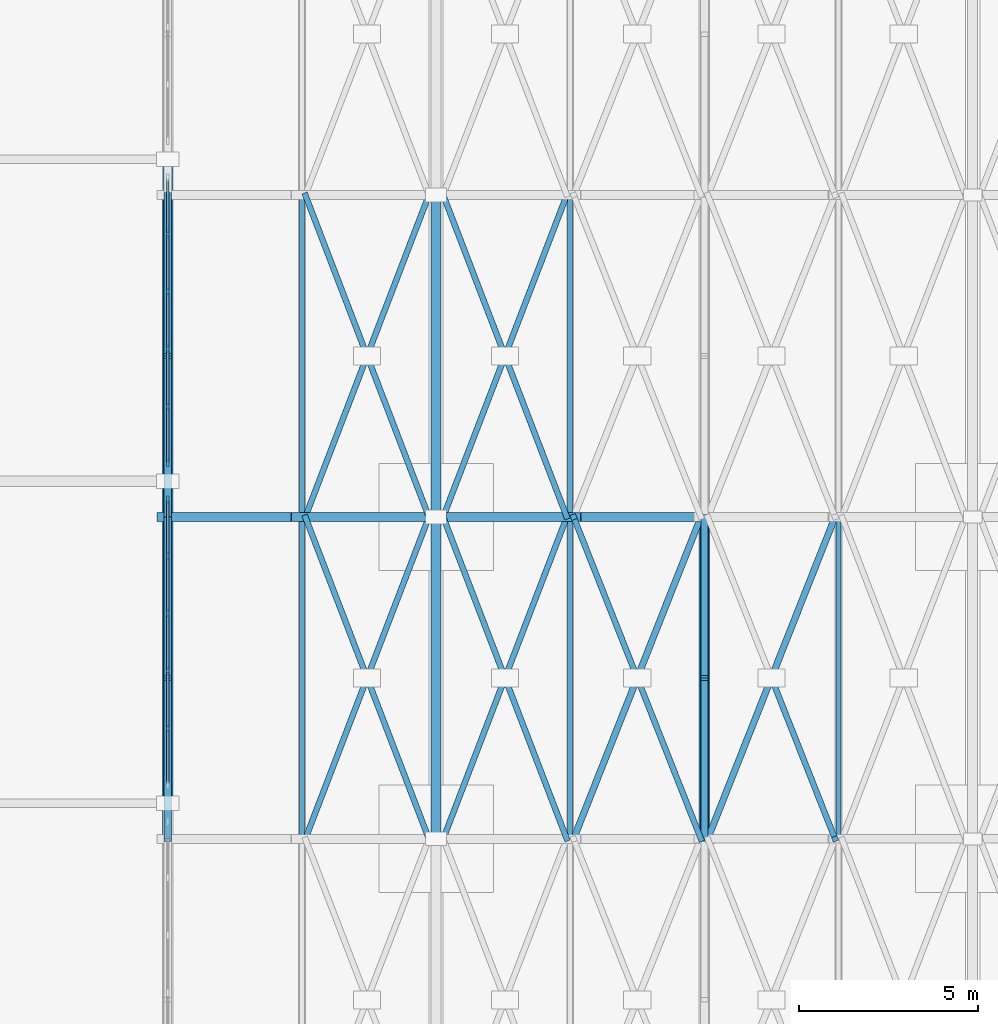
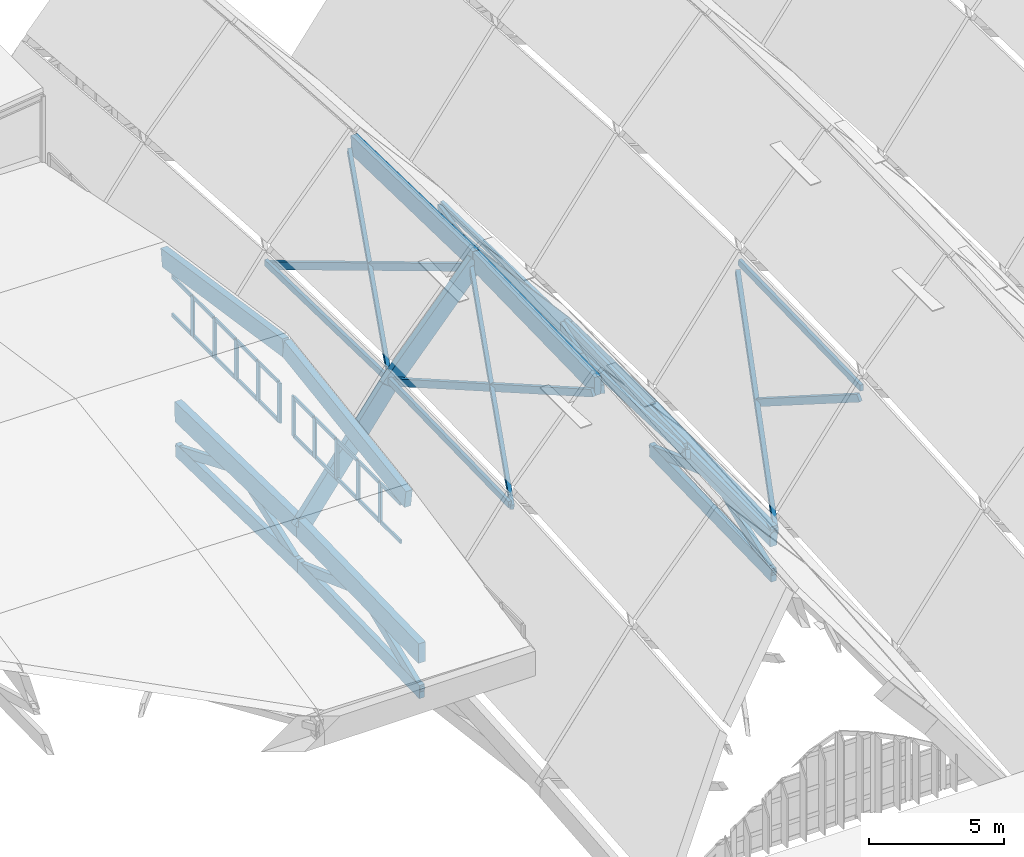
# One storey, part 28 of 93: 61 members, 11 beams, 2 elements without a shape of their own.
"""IFC4 building model written with IfcOpenShell, lengths in metres."""

from ifc_helpers import new_model, si_unit, direction, frame, origin, origin_2d, place, context, subcontext, project, spatial, rectangle, extrude, material, material_profile, profile_set, type_object, element, aggregate, save


model = new_model("IFC4")

# Units and contexts
model_context = context("Model", 3, precision=1e-05, world=origin(), true_north=direction((0.0, 1.0)))
body_context = subcontext(model_context, "Body", "Model", "MODEL_VIEW")
ifc_project = project(units=[si_unit("LENGTHUNIT", "METRE"), si_unit("AREAUNIT", "SQUARE_METRE"), si_unit("VOLUMEUNIT", "CUBIC_METRE"), si_unit("PLANEANGLEUNIT", "RADIAN"), si_unit("MASSUNIT", "GRAM", prefix="KILO")], contexts=[model_context])

# Site, building, storey
site_placement = place(None, origin())
site = spatial("IfcSite", under=ifc_project, at=site_placement, CompositionType="ELEMENT")
building_placement = place(site_placement, origin())
building = spatial("IfcBuilding", under=site, at=building_placement, Name="Vourika Railside Aquatics Centre", CompositionType="ELEMENT")
storey_placement = place(building_placement, frame((0.0, 0.0, 21.89990234375)))
storey = spatial("IfcBuildingStorey", under=building, at=storey_placement, Name="Roof", CompositionType="ELEMENT", Elevation=21.89990234375)

# Beams
ifc_material_1 = material(Name="Glulam GL32h", Category="wood")
ifc_material_profile_1 = material_profile(ifc_material_1, rectangle(XDim=0.260009765625, YDim=0.760009765625, at=origin_2d()), Name="GL32h 260x760")
ifc_profile_set_1 = profile_set([ifc_material_profile_1], Name="Glulam GL32h")
beam_type_1 = type_object("IfcBeamType", Name="BM-GL-ARCH-260x760", PredefinedType="BEAM", material=ifc_profile_set_1)
beam_1_placement = place(storey_placement, frame((36.0, 39.0, -10.099853515625), z_axis=(0.592401494544, 0.0, 0.805642891896), x_axis=(0.0, 1.0, 0.0)))
element("IfcBeam", 1, at=beam_1_placement, inside=storey, type_object=beam_type_1, Name="Pointed Glulam Vault Arch Rib GAR-0013", PredefinedType="BEAM", context=body_context, shape_type="SweptSolid", body=[
    extrude(rectangle(XDim=0.260009765625, YDim=0.760009765625, at=origin_2d()), origin(), (0.0, 0.0, 1.0), 6.330078125),
])
for number, where, z_axis, x_axis, name in (
    (2, (39.75, 39.0, -5.0), (0.657258623263, 0.0, 0.75366511273), (0.0, 1.0, 0.0), "Pointed Glulam Vault Arch Rib GAR-0014"),
    (3, (43.5, 39.0, -0.699951171875), (0.657258623263, 0.0, -0.75366511273), (0.0, 1.0, 0.0), "Pointed Glulam Vault Arch Rib GAR-0015"),
):
    element("IfcBeam", number, at=place(storey_placement, frame(where, z_axis=z_axis, x_axis=x_axis)), inside=storey, type_object=beam_type_1, Name=name, PredefinedType="BEAM", context=body_context, shape_type="SweptSolid", body=[
        extrude(rectangle(XDim=0.260009765625, YDim=0.760009765625, at=origin_2d()), origin(), (0.0, 0.0, 1.0), 5.70556640625),
    ])
beam_2_placement = place(storey_placement, frame((47.25, 39.0, -5.0), z_axis=(0.592401494544, 0.0, -0.805642891896), x_axis=(0.0, 1.0, 0.0)))
element("IfcBeam", 4, at=beam_2_placement, inside=storey, type_object=beam_type_1, Name="Pointed Glulam Vault Arch Rib GAR-0016", PredefinedType="BEAM", context=body_context, shape_type="SweptSolid", body=[
    extrude(rectangle(XDim=0.260009765625, YDim=0.760009765625, at=origin_2d()), origin(), (0.0, 0.0, 1.0), 6.330078125),
])
ifc_material_profile_2 = material_profile(ifc_material_1, rectangle(XDim=0.280029296875, YDim=0.800048828125, at=origin_2d()), Name="GL32h 280x800")
ifc_profile_set_2 = profile_set([ifc_material_profile_2], Name="Glulam GL32h")
beam_type_2 = type_object("IfcBeamType", Name="BM-GL-RIDGE-280x800", PredefinedType="BEAM", material=ifc_profile_set_2)
for number, where, z_axis, x_axis, name in (
    (5, (36.0, 31.0, -3.97998046875), (0.0, 0.988934778637, 0.148350947425), (-1.0, 0.0, 0.0), "Diving Roof Truss Arch Rib DAR-0256"),
    (6, (36.0, 40.0, -2.6298828125), (0.0, 0.988934778637, -0.148350947425), (-1.0, 0.0, 0.0), "Diving Roof Truss Arch Rib DAR-0257"),
):
    element("IfcBeam", number, at=place(storey_placement, frame(where, z_axis=z_axis, x_axis=x_axis)), inside=storey, type_object=beam_type_2, Name=name, PredefinedType="BEAM", context=body_context, shape_type="SweptSolid", body=[
        extrude(rectangle(XDim=0.280029296875, YDim=0.800048828125, at=origin_2d()), origin(), (0.0, 0.0, 1.0), 9.1005859375),
    ])
ifc_material_profile_3 = material_profile(ifc_material_1, rectangle(XDim=0.280029296875, YDim=0.840087890625, at=origin_2d()), Name="GL32h 280x840")
ifc_profile_set_3 = profile_set([ifc_material_profile_3], Name="Glulam GL32h")
beam_type_3 = type_object("IfcBeamType", Name="BM-GL-RIDGE-280x840", PredefinedType="BEAM", material=ifc_profile_set_3)
for number, where, z_axis, x_axis, name in (
    (7, (43.5, 30.0, -0.914306640625), (0.0, 0.999716489335, 0.023810521854), (-1.0, 0.0, 0.0), "Vault Pointed Ridge Beam GRB-0031"),
    (8, (43.5, 39.0, -0.699951171875), (0.0, 0.999716489335, -0.023810521854), (-1.0, 0.0, 0.0), "Vault Pointed Ridge Beam GRB-0032"),
):
    element("IfcBeam", number, at=place(storey_placement, frame(where, z_axis=z_axis, x_axis=x_axis)), inside=storey, type_object=beam_type_3, Name=name, PredefinedType="BEAM", context=body_context, shape_type="SweptSolid", body=[
        extrude(rectangle(XDim=0.280029296875, YDim=0.840087890625, at=origin_2d()), origin(), (0.0, 0.0, 1.0), 9.00244140625),
    ])
ifc_material_profile_4 = material_profile(ifc_material_1, rectangle(XDim=0.300048828125, YDim=0.89990234375, at=origin_2d()), Name="GL32h 300x900")
ifc_profile_set_4 = profile_set([ifc_material_profile_4], Name="Glulam GL32h")
beam_type_4 = type_object("IfcBeamType", Name="BM-GL-VAL-300x900", PredefinedType="BEAM", material=ifc_profile_set_4)
for number, where, z_axis, x_axis, name in (
    (9, (36.0, 30.0, -10.314208984375), (0.0, 0.999716489335, 0.023810521854), (-1.0, 0.0, 0.0), "Vault Valley Arch Rib VTR-003"),
    (10, (36.0, 39.0, -10.099853515625), (0.0, 0.999716489335, -0.023810521854), (-1.0, 0.0, 0.0), "Vault Valley Arch Rib VTR-004"),
    (11, (51.0, 30.0, -10.314208984375), (0.0, 0.999716489335, 0.023810521854), (-1.0, 0.0, 0.0), "Vault Valley Arch Rib VTR-009"),
):
    element("IfcBeam", number, at=place(storey_placement, frame(where, z_axis=z_axis, x_axis=x_axis)), inside=storey, type_object=beam_type_4, Name=name, PredefinedType="BEAM", context=body_context, shape_type="SweptSolid", body=[
        extrude(rectangle(XDim=0.300048828125, YDim=0.89990234375, at=origin_2d()), origin(), (0.0, 0.0, 1.0), 9.00244140625),
    ])

# Curtain wall, members
ifc_material_2 = material(Name="Anodized thermally broken aluminium", Category="aluminium")
curtain_wall_type = type_object("IfcCurtainWallType", Name="CW-DIVEE", PredefinedType="NOTDEFINED", material=ifc_material_2)
curtain_wall_1_placement = place(storey_placement, origin())
curtain_wall_1 = element("IfcCurtainWall", 12, at=curtain_wall_1_placement, inside=storey, type_object=curtain_wall_type, Name="Diving Hall East Clerestory Curtain Wall 2", PredefinedType="NOTDEFINED")
ifc_material_3 = material(Name="Anodized aluminium mullion", Category="aluminium")
ifc_material_profile_5 = material_profile(ifc_material_3, rectangle(XDim=0.075927734375, YDim=0.205078125, at=origin_2d()), Name="ALU-M 76x205")
ifc_profile_set_5 = profile_set([ifc_material_profile_5], Name="Anodized aluminium mullion")
member_type_1 = type_object("IfcMemberType", Name="CWM-DIVEE", PredefinedType="MULLION", material=ifc_profile_set_5)
member_1_placement = place(storey_placement, frame((36.0, 33.087890625, -6.2998046875), z_axis=(0.0, 0.0, 1.0), x_axis=(-1.0, 0.0, 0.0)))
member_1 = element("IfcMember", 13, at=member_1_placement, type_object=member_type_1, Name="CW06 mullion 2", PredefinedType="MULLION", context=body_context, shape_type="SweptSolid", body=[
    extrude(rectangle(XDim=0.075927734375, YDim=0.205078125, at=origin_2d()), origin(), (0.0, 0.0, 1.0), 1.7998046875),
])
member_2_placement = place(storey_placement, frame((36.0, 34.696044921875, -6.2998046875), z_axis=(0.0, 0.0, 1.0), x_axis=(-1.0, 0.0, 0.0)))
member_2 = element("IfcMember", 14, at=member_2_placement, type_object=member_type_1, Name="CW06 mullion 3", PredefinedType="MULLION", context=body_context, shape_type="SweptSolid", body=[
    extrude(rectangle(XDim=0.075927734375, YDim=0.205078125, at=origin_2d()), origin(), (0.0, 0.0, 1.0), 1.7998046875),
])
member_3_placement = place(storey_placement, frame((36.0, 36.303955078125, -6.2998046875), z_axis=(0.0, 0.0, 1.0), x_axis=(-1.0, 0.0, 0.0)))
member_3 = element("IfcMember", 15, at=member_3_placement, type_object=member_type_1, Name="CW06 mullion 4", PredefinedType="MULLION", context=body_context, shape_type="SweptSolid", body=[
    extrude(rectangle(XDim=0.075927734375, YDim=0.205078125, at=origin_2d()), origin(), (0.0, 0.0, 1.0), 1.7998046875),
])
member_4_placement = place(storey_placement, frame((36.0, 37.912109375, -6.2998046875), z_axis=(0.0, 0.0, 1.0), x_axis=(-1.0, 0.0, 0.0)))
member_4 = element("IfcMember", 16, at=member_4_placement, type_object=member_type_1, Name="CW06 mullion 5", PredefinedType="MULLION", context=body_context, shape_type="SweptSolid", body=[
    extrude(rectangle(XDim=0.075927734375, YDim=0.205078125, at=origin_2d()), origin(), (0.0, 0.0, 1.0), 1.7998046875),
])
member_5_placement = place(storey_placement, frame((36.0, 39.48193359375, -6.2998046875), z_axis=(0.0, 0.0, 1.0), x_axis=(-1.0, 0.0, 0.0)))
member_5 = element("IfcMember", 17, at=member_5_placement, type_object=member_type_1, Name="CW06 mullion 6", PredefinedType="MULLION", context=body_context, shape_type="SweptSolid", body=[
    extrude(rectangle(XDim=0.075927734375, YDim=0.205078125, at=origin_2d()), origin(), (0.0, 0.0, 1.0), 1.7998046875),
])

curtain_wall_2_placement = place(storey_placement, origin())
curtain_wall_2 = element("IfcCurtainWall", 18, at=curtain_wall_2_placement, inside=storey, type_object=curtain_wall_type, Name="Diving Hall East Clerestory Curtain Wall 3", PredefinedType="NOTDEFINED")
member_6_placement = place(storey_placement, frame((36.0, 40.51806640625, -6.2998046875), z_axis=(0.0, 0.0, 1.0), x_axis=(-1.0, 0.0, 0.0)))
member_6 = element("IfcMember", 19, at=member_6_placement, type_object=member_type_1, Name="CW06 mullion 1", PredefinedType="MULLION", context=body_context, shape_type="SweptSolid", body=[
    extrude(rectangle(XDim=0.075927734375, YDim=0.205078125, at=origin_2d()), origin(), (0.0, 0.0, 1.0), 1.7998046875),
])
member_7_placement = place(storey_placement, frame((36.0, 42.087890625, -6.2998046875), z_axis=(0.0, 0.0, 1.0), x_axis=(-1.0, 0.0, 0.0)))
member_7 = element("IfcMember", 20, at=member_7_placement, type_object=member_type_1, Name="CW06 mullion 2", PredefinedType="MULLION", context=body_context, shape_type="SweptSolid", body=[
    extrude(rectangle(XDim=0.075927734375, YDim=0.205078125, at=origin_2d()), origin(), (0.0, 0.0, 1.0), 1.7998046875),
])
member_8_placement = place(storey_placement, frame((36.0, 43.696044921875, -6.2998046875), z_axis=(0.0, 0.0, 1.0), x_axis=(-1.0, 0.0, 0.0)))
member_8 = element("IfcMember", 21, at=member_8_placement, type_object=member_type_1, Name="CW06 mullion 3", PredefinedType="MULLION", context=body_context, shape_type="SweptSolid", body=[
    extrude(rectangle(XDim=0.075927734375, YDim=0.205078125, at=origin_2d()), origin(), (0.0, 0.0, 1.0), 1.7998046875),
])
member_9_placement = place(storey_placement, frame((36.0, 45.303955078125, -6.2998046875), z_axis=(0.0, 0.0, 1.0), x_axis=(-1.0, 0.0, 0.0)))
member_9 = element("IfcMember", 22, at=member_9_placement, type_object=member_type_1, Name="CW06 mullion 4", PredefinedType="MULLION", context=body_context, shape_type="SweptSolid", body=[
    extrude(rectangle(XDim=0.075927734375, YDim=0.205078125, at=origin_2d()), origin(), (0.0, 0.0, 1.0), 1.7998046875),
])
member_10_placement = place(storey_placement, frame((36.0, 46.912109375, -6.2998046875), z_axis=(0.0, 0.0, 1.0), x_axis=(-1.0, 0.0, 0.0)))
member_10 = element("IfcMember", 23, at=member_10_placement, type_object=member_type_1, Name="CW06 mullion 5", PredefinedType="MULLION", context=body_context, shape_type="SweptSolid", body=[
    extrude(rectangle(XDim=0.075927734375, YDim=0.205078125, at=origin_2d()), origin(), (0.0, 0.0, 1.0), 1.7998046875),
])

# Member
ifc_material_4 = material(Name="Anodized aluminium transom", Category="aluminium")
ifc_material_profile_6 = material_profile(ifc_material_4, rectangle(XDim=0.075927734375, YDim=0.162109375, at=origin_2d()), Name="ALU-T 76x162")
ifc_profile_set_6 = profile_set([ifc_material_profile_6], Name="Anodized aluminium transom")
member_type_2 = type_object("IfcMemberType", Name="CWT-DIVEE", PredefinedType="USERDEFINED", material=ifc_profile_set_6)
member_11_placement = place(storey_placement, frame((36.0, 31.555908203125, -6.261962890625), z_axis=(0.0, 1.0, 0.0), x_axis=(-1.0, 0.0, 0.0)))
member_11 = element("IfcMember", 24, at=member_11_placement, type_object=member_type_2, Name="CW06 transom 1.1", ObjectType="TRANSOM", PredefinedType="USERDEFINED", context=body_context, shape_type="SweptSolid", body=[
    extrude(rectangle(XDim=0.075927734375, YDim=0.162109375, at=origin_2d()), origin(), (0.0, 0.0, 1.0), 1.494140625),
])

member_12_placement = place(storey_placement, frame((36.0, 31.555908203125, -4.537841796875), z_axis=(0.0, 1.0, 0.0), x_axis=(-1.0, 0.0, 0.0)))
member_12 = element("IfcMember", 25, at=member_12_placement, type_object=member_type_2, Name="CW06 transom 1.2", ObjectType="TRANSOM", PredefinedType="USERDEFINED", context=body_context, shape_type="SweptSolid", body=[
    extrude(rectangle(XDim=0.075927734375, YDim=0.162109375, at=origin_2d()), origin(), (0.0, 0.0, 1.0), 1.494140625),
])

member_13_placement = place(storey_placement, frame((36.0, 33.1259765625, -6.261962890625), z_axis=(0.0, 1.0, 0.0), x_axis=(-1.0, 0.0, 0.0)))
member_13 = element("IfcMember", 26, at=member_13_placement, type_object=member_type_2, Name="CW06 transom 2.1", ObjectType="TRANSOM", PredefinedType="USERDEFINED", context=body_context, shape_type="SweptSolid", body=[
    extrude(rectangle(XDim=0.075927734375, YDim=0.162109375, at=origin_2d()), origin(), (0.0, 0.0, 1.0), 1.531982421875),
])

member_14_placement = place(storey_placement, frame((36.0, 33.1259765625, -4.537841796875), z_axis=(0.0, 1.0, 0.0), x_axis=(-1.0, 0.0, 0.0)))
member_14 = element("IfcMember", 27, at=member_14_placement, type_object=member_type_2, Name="CW06 transom 2.2", ObjectType="TRANSOM", PredefinedType="USERDEFINED", context=body_context, shape_type="SweptSolid", body=[
    extrude(rectangle(XDim=0.075927734375, YDim=0.162109375, at=origin_2d()), origin(), (0.0, 0.0, 1.0), 1.531982421875),
])

member_15_placement = place(storey_placement, frame((36.0, 34.73388671875, -6.261962890625), z_axis=(0.0, 1.0, 0.0), x_axis=(-1.0, 0.0, 0.0)))
member_15 = element("IfcMember", 28, at=member_15_placement, type_object=member_type_2, Name="CW06 transom 3.1", ObjectType="TRANSOM", PredefinedType="USERDEFINED", context=body_context, shape_type="SweptSolid", body=[
    extrude(rectangle(XDim=0.075927734375, YDim=0.162109375, at=origin_2d()), origin(), (0.0, 0.0, 1.0), 1.5322265625),
])

member_16_placement = place(storey_placement, frame((36.0, 34.73388671875, -4.537841796875), z_axis=(0.0, 1.0, 0.0), x_axis=(-1.0, 0.0, 0.0)))
member_16 = element("IfcMember", 29, at=member_16_placement, type_object=member_type_2, Name="CW06 transom 3.2", ObjectType="TRANSOM", PredefinedType="USERDEFINED", context=body_context, shape_type="SweptSolid", body=[
    extrude(rectangle(XDim=0.075927734375, YDim=0.162109375, at=origin_2d()), origin(), (0.0, 0.0, 1.0), 1.5322265625),
])

member_17_placement = place(storey_placement, frame((36.0, 36.342041015625, -6.261962890625), z_axis=(0.0, 1.0, 0.0), x_axis=(-1.0, 0.0, 0.0)))
member_17 = element("IfcMember", 30, at=member_17_placement, type_object=member_type_2, Name="CW06 transom 4.1", ObjectType="TRANSOM", PredefinedType="USERDEFINED", context=body_context, shape_type="SweptSolid", body=[
    extrude(rectangle(XDim=0.075927734375, YDim=0.162109375, at=origin_2d()), origin(), (0.0, 0.0, 1.0), 1.531982421875),
])

member_18_placement = place(storey_placement, frame((36.0, 36.342041015625, -4.537841796875), z_axis=(0.0, 1.0, 0.0), x_axis=(-1.0, 0.0, 0.0)))
member_18 = element("IfcMember", 31, at=member_18_placement, type_object=member_type_2, Name="CW06 transom 4.2", ObjectType="TRANSOM", PredefinedType="USERDEFINED", context=body_context, shape_type="SweptSolid", body=[
    extrude(rectangle(XDim=0.075927734375, YDim=0.162109375, at=origin_2d()), origin(), (0.0, 0.0, 1.0), 1.531982421875),
])

member_19_placement = place(storey_placement, frame((36.0, 37.949951171875, -6.261962890625), z_axis=(0.0, 1.0, 0.0), x_axis=(-1.0, 0.0, 0.0)))
member_19 = element("IfcMember", 32, at=member_19_placement, type_object=member_type_2, Name="CW06 transom 5.1", ObjectType="TRANSOM", PredefinedType="USERDEFINED", context=body_context, shape_type="SweptSolid", body=[
    extrude(rectangle(XDim=0.075927734375, YDim=0.162109375, at=origin_2d()), origin(), (0.0, 0.0, 1.0), 1.494140625),
])

member_20_placement = place(storey_placement, frame((36.0, 37.949951171875, -4.537841796875), z_axis=(0.0, 1.0, 0.0), x_axis=(-1.0, 0.0, 0.0)))
member_20 = element("IfcMember", 33, at=member_20_placement, type_object=member_type_2, Name="CW06 transom 5.2", ObjectType="TRANSOM", PredefinedType="USERDEFINED", context=body_context, shape_type="SweptSolid", body=[
    extrude(rectangle(XDim=0.075927734375, YDim=0.162109375, at=origin_2d()), origin(), (0.0, 0.0, 1.0), 1.494140625),
])

aggregate(curtain_wall_1, [member_1, member_2, member_3, member_4, member_5, member_11, member_12, member_13, member_14, member_15, member_16, member_17, member_18, member_19, member_20])

member_21_placement = place(storey_placement, frame((36.0, 40.555908203125, -6.261962890625), z_axis=(0.0, 1.0, 0.0), x_axis=(-1.0, 0.0, 0.0)))
member_21 = element("IfcMember", 34, at=member_21_placement, type_object=member_type_2, Name="CW06 transom 1.1", ObjectType="TRANSOM", PredefinedType="USERDEFINED", context=body_context, shape_type="SweptSolid", body=[
    extrude(rectangle(XDim=0.075927734375, YDim=0.162109375, at=origin_2d()), origin(), (0.0, 0.0, 1.0), 1.494140625),
])

member_22_placement = place(storey_placement, frame((36.0, 40.555908203125, -4.537841796875), z_axis=(0.0, 1.0, 0.0), x_axis=(-1.0, 0.0, 0.0)))
member_22 = element("IfcMember", 35, at=member_22_placement, type_object=member_type_2, Name="CW06 transom 1.2", ObjectType="TRANSOM", PredefinedType="USERDEFINED", context=body_context, shape_type="SweptSolid", body=[
    extrude(rectangle(XDim=0.075927734375, YDim=0.162109375, at=origin_2d()), origin(), (0.0, 0.0, 1.0), 1.494140625),
])

member_23_placement = place(storey_placement, frame((36.0, 42.1259765625, -6.261962890625), z_axis=(0.0, 1.0, 0.0), x_axis=(-1.0, 0.0, 0.0)))
member_23 = element("IfcMember", 36, at=member_23_placement, type_object=member_type_2, Name="CW06 transom 2.1", ObjectType="TRANSOM", PredefinedType="USERDEFINED", context=body_context, shape_type="SweptSolid", body=[
    extrude(rectangle(XDim=0.075927734375, YDim=0.162109375, at=origin_2d()), origin(), (0.0, 0.0, 1.0), 1.531982421875),
])

member_24_placement = place(storey_placement, frame((36.0, 42.1259765625, -4.537841796875), z_axis=(0.0, 1.0, 0.0), x_axis=(-1.0, 0.0, 0.0)))
member_24 = element("IfcMember", 37, at=member_24_placement, type_object=member_type_2, Name="CW06 transom 2.2", ObjectType="TRANSOM", PredefinedType="USERDEFINED", context=body_context, shape_type="SweptSolid", body=[
    extrude(rectangle(XDim=0.075927734375, YDim=0.162109375, at=origin_2d()), origin(), (0.0, 0.0, 1.0), 1.531982421875),
])

member_25_placement = place(storey_placement, frame((36.0, 43.73388671875, -6.261962890625), z_axis=(0.0, 1.0, 0.0), x_axis=(-1.0, 0.0, 0.0)))
member_25 = element("IfcMember", 38, at=member_25_placement, type_object=member_type_2, Name="CW06 transom 3.1", ObjectType="TRANSOM", PredefinedType="USERDEFINED", context=body_context, shape_type="SweptSolid", body=[
    extrude(rectangle(XDim=0.075927734375, YDim=0.162109375, at=origin_2d()), origin(), (0.0, 0.0, 1.0), 1.5322265625),
])

member_26_placement = place(storey_placement, frame((36.0, 43.73388671875, -4.537841796875), z_axis=(0.0, 1.0, 0.0), x_axis=(-1.0, 0.0, 0.0)))
member_26 = element("IfcMember", 39, at=member_26_placement, type_object=member_type_2, Name="CW06 transom 3.2", ObjectType="TRANSOM", PredefinedType="USERDEFINED", context=body_context, shape_type="SweptSolid", body=[
    extrude(rectangle(XDim=0.075927734375, YDim=0.162109375, at=origin_2d()), origin(), (0.0, 0.0, 1.0), 1.5322265625),
])

member_27_placement = place(storey_placement, frame((36.0, 45.342041015625, -6.261962890625), z_axis=(0.0, 1.0, 0.0), x_axis=(-1.0, 0.0, 0.0)))
member_27 = element("IfcMember", 40, at=member_27_placement, type_object=member_type_2, Name="CW06 transom 4.1", ObjectType="TRANSOM", PredefinedType="USERDEFINED", context=body_context, shape_type="SweptSolid", body=[
    extrude(rectangle(XDim=0.075927734375, YDim=0.162109375, at=origin_2d()), origin(), (0.0, 0.0, 1.0), 1.531982421875),
])

member_28_placement = place(storey_placement, frame((36.0, 45.342041015625, -4.537841796875), z_axis=(0.0, 1.0, 0.0), x_axis=(-1.0, 0.0, 0.0)))
member_28 = element("IfcMember", 41, at=member_28_placement, type_object=member_type_2, Name="CW06 transom 4.2", ObjectType="TRANSOM", PredefinedType="USERDEFINED", context=body_context, shape_type="SweptSolid", body=[
    extrude(rectangle(XDim=0.075927734375, YDim=0.162109375, at=origin_2d()), origin(), (0.0, 0.0, 1.0), 1.531982421875),
])

member_29_placement = place(storey_placement, frame((36.0, 46.949951171875, -6.261962890625), z_axis=(0.0, 1.0, 0.0), x_axis=(-1.0, 0.0, 0.0)))
member_29 = element("IfcMember", 42, at=member_29_placement, type_object=member_type_2, Name="CW06 transom 5.1", ObjectType="TRANSOM", PredefinedType="USERDEFINED", context=body_context, shape_type="SweptSolid", body=[
    extrude(rectangle(XDim=0.075927734375, YDim=0.162109375, at=origin_2d()), origin(), (0.0, 0.0, 1.0), 1.494140625),
])

member_30_placement = place(storey_placement, frame((36.0, 46.949951171875, -4.537841796875), z_axis=(0.0, 1.0, 0.0), x_axis=(-1.0, 0.0, 0.0)))
member_30 = element("IfcMember", 43, at=member_30_placement, type_object=member_type_2, Name="CW06 transom 5.2", ObjectType="TRANSOM", PredefinedType="USERDEFINED", context=body_context, shape_type="SweptSolid", body=[
    extrude(rectangle(XDim=0.075927734375, YDim=0.162109375, at=origin_2d()), origin(), (0.0, 0.0, 1.0), 1.494140625),
])

aggregate(curtain_wall_2, [member_6, member_7, member_8, member_9, member_10, member_21, member_22, member_23, member_24, member_25, member_26, member_27, member_28, member_29, member_30])

# Members
ifc_material_profile_7 = material_profile(ifc_material_1, rectangle(XDim=0.219970703125, YDim=0.60009765625, at=origin_2d()), Name="GL32h 220x600")
ifc_profile_set_7 = profile_set([ifc_material_profile_7], Name="Glulam GL32h")
member_type_3 = type_object("IfcMemberType", Name="MEM-GL-CHORD", PredefinedType="CHORD", material=ifc_profile_set_7)
for number, where, z_axis, x_axis, name in (
    (44, (36.0, 30.0, -12.064208984375), (0.0, 0.999716489335, 0.023810521854), (-1.0, 0.0, 0.0), "Valley Arch Truss Bottom Chord VBC-003"),
    (45, (36.0, 39.0, -11.849853515625), (0.0, 0.999716489335, -0.023810521854), (-1.0, 0.0, 0.0), "Valley Arch Truss Bottom Chord VBC-004"),
    (46, (51.0, 30.0, -12.064208984375), (0.0, 0.999716489335, 0.023810521854), (-1.0, 0.0, 0.0), "Valley Arch Truss Bottom Chord VBC-009"),
):
    element("IfcMember", number, at=place(storey_placement, frame(where, z_axis=z_axis, x_axis=x_axis)), inside=storey, type_object=member_type_3, Name=name, PredefinedType="CHORD", context=body_context, shape_type="SweptSolid", body=[
        extrude(rectangle(XDim=0.219970703125, YDim=0.60009765625, at=origin_2d()), origin(), (0.0, 0.0, 1.0), 9.00244140625),
    ])
ifc_material_5 = material(Name="Glulam GL28h", Category="wood")
ifc_material_profile_8 = material_profile(ifc_material_5, rectangle(XDim=0.179931640625, YDim=0.360107421875, at=origin_2d()), Name="GL28h 180x360")
ifc_profile_set_8 = profile_set([ifc_material_profile_8], Name="Glulam GL28h")
member_type_4 = type_object("IfcMemberType", Name="MEM-GL-LATH1", PredefinedType="BRACE", material=ifc_profile_set_8)
member_31_placement = place(storey_placement, frame((47.344970703125, 30.0, -5.339111328125), z_axis=(0.331795949467, 0.838796178929, -0.431662389064), x_axis=(-0.929892910811, 0.367830360933, 0.0)))
element("IfcMember", 47, at=member_31_placement, inside=storey, type_object=member_type_4, Name="Gridshell Continuous Diagonal Lath GLA-0025", PredefinedType="BRACE", context=body_context, shape_type="SweptSolid", body=[
    extrude(rectangle(XDim=0.179931640625, YDim=0.360107421875, at=origin_2d()), origin(), (0.0, 0.0, 1.0), 10.729736328125),
])
member_32_placement = place(storey_placement, frame((51.094970703125, 30.0, -10.1806640625), z_axis=(0.326087343629, 0.824364547766, 0.462698753739), x_axis=(-0.929892910811, 0.367830360933, 0.0)))
element("IfcMember", 48, at=member_32_placement, inside=storey, type_object=member_type_4, Name="Gridshell Continuous Diagonal Lath GLA-0073", PredefinedType="BRACE", context=body_context, shape_type="SweptSolid", body=[
    extrude(rectangle(XDim=0.179931640625, YDim=0.360107421875, at=origin_2d()), origin(), (0.0, 0.0, 1.0), 10.91748046875),
])
ifc_material_profile_9 = material_profile(ifc_material_5, rectangle(XDim=0.159912109375, YDim=0.320068359375, at=origin_2d()), Name="GL28h 160x320")
ifc_profile_set_9 = profile_set([ifc_material_profile_9], Name="Glulam GL28h")
member_type_5 = type_object("IfcMemberType", Name="MEM-GL-LATH2", PredefinedType="BRACE", material=ifc_profile_set_9)
member_33_placement = place(storey_placement, frame((39.844970703125, 30.0, -5.100830078125), z_axis=(0.32892073085, 0.856792949552, 0.397135989827), x_axis=(-0.933569951957, 0.358395235463, 0.0)))
element("IfcMember", 49, at=member_33_placement, inside=storey, type_object=member_type_5, Name="Gridshell Continuous Diagonal Lath GLA-0021", PredefinedType="BRACE", context=body_context, shape_type="SweptSolid", body=[
    extrude(rectangle(XDim=0.159912109375, YDim=0.320068359375, at=origin_2d()), origin(), (0.0, 0.0, 1.0), 10.50439453125),
])
for number, where, z_axis, x_axis, name in (
    (50, (43.300048828125, 30.0, -1.13916015625), (-0.333992041249, 0.870003010782, -0.362690057229), (-0.933569951957, -0.358395235463, 0.0), "Gridshell Split Counter Lath GLB1-0022"),
    (51, (41.572509765625, 34.5, -3.01513671875), (-0.333992041249, 0.870003010782, -0.362690057229), (-0.933569951957, -0.358395235463, 0.0), "Gridshell Split Counter Lath GLB2-0022"),
):
    element("IfcMember", number, at=place(storey_placement, frame(where, z_axis=z_axis, x_axis=x_axis)), inside=storey, type_object=member_type_5, Name=name, PredefinedType="BRACE", context=body_context, shape_type="SweptSolid", body=[
        extrude(rectangle(XDim=0.159912109375, YDim=0.320068359375, at=origin_2d()), origin(), (0.0, 0.0, 1.0), 5.17236328125),
    ])
member_34_placement = place(storey_placement, frame((43.699951171875, 30.0, -1.13916015625), z_axis=(0.333992041249, 0.870003010782, -0.362690057229), x_axis=(-0.933569951957, 0.358395235463, 0.0)))
element("IfcMember", 52, at=member_34_placement, inside=storey, type_object=member_type_5, Name="Gridshell Continuous Diagonal Lath GLA-0023", PredefinedType="BRACE", context=body_context, shape_type="SweptSolid", body=[
    extrude(rectangle(XDim=0.159912109375, YDim=0.320068359375, at=origin_2d()), origin(), (0.0, 0.0, 1.0), 10.3447265625),
])
for number, where, z_axis, x_axis, name in (
    (53, (47.155029296875, 30.0, -5.100830078125), (-0.328923766818, 0.856800857828, 0.397116413218), (-0.933569951957, -0.358395235463, 0.0), "Gridshell Split Counter Lath GLB1-0024"),
    (54, (45.427490234375, 34.5, -3.01513671875), (-0.328917694788, 0.856785041031, 0.397155565895), (-0.933569951957, -0.358395235463, 0.0), "Gridshell Split Counter Lath GLB2-0024"),
):
    element("IfcMember", number, at=place(storey_placement, frame(where, z_axis=z_axis, x_axis=x_axis)), inside=storey, type_object=member_type_5, Name=name, PredefinedType="BRACE", context=body_context, shape_type="SweptSolid", body=[
        extrude(rectangle(XDim=0.159912109375, YDim=0.320068359375, at=origin_2d()), origin(), (0.0, 0.0, 1.0), 5.252197265625),
    ])
for number, where, z_axis, x_axis, name in (
    (55, (50.905029296875, 30.0, -10.1806640625), (-0.326083969568, 0.824356017978, 0.462716328234), (-0.929892910811, -0.367830360933, 0.0), "Gridshell Split Counter Lath GLB1-0026"),
    (56, (49.125, 34.5, -7.65478515625), (-0.326090717631, 0.824373077407, 0.462681178699), (-0.929892910811, -0.367830360933, 0.0), "Gridshell Split Counter Lath GLB2-0026"),
):
    element("IfcMember", number, at=place(storey_placement, frame(where, z_axis=z_axis, x_axis=x_axis)), inside=storey, type_object=member_type_5, Name=name, PredefinedType="BRACE", context=body_context, shape_type="SweptSolid", body=[
        extrude(rectangle(XDim=0.159912109375, YDim=0.320068359375, at=origin_2d()), origin(), (0.0, 0.0, 1.0), 5.458740234375),
    ])
member_35_placement = place(storey_placement, frame((39.844970703125, 39.0, -4.89111328125), z_axis=(0.333992041249, 0.870003010782, 0.362690057229), x_axis=(-0.933569951957, 0.358395235463, 0.0)))
element("IfcMember", 57, at=member_35_placement, inside=storey, type_object=member_type_5, Name="Gridshell Continuous Diagonal Lath GLA-0029", PredefinedType="BRACE", context=body_context, shape_type="SweptSolid", body=[
    extrude(rectangle(XDim=0.159912109375, YDim=0.320068359375, at=origin_2d()), origin(), (0.0, 0.0, 1.0), 10.3447265625),
])
for number, where, z_axis, x_axis, name in (
    (58, (43.300048828125, 39.0, -0.92919921875), (-0.328917694788, 0.856785041031, -0.397155565895), (-0.933569951957, -0.358395235463, 0.0), "Gridshell Split Counter Lath GLB1-0030"),
    (59, (41.572509765625, 43.5, -3.01513671875), (-0.328923766818, 0.856800857828, -0.397116413218), (-0.933569951957, -0.358395235463, 0.0), "Gridshell Split Counter Lath GLB2-0030"),
):
    element("IfcMember", number, at=place(storey_placement, frame(where, z_axis=z_axis, x_axis=x_axis)), inside=storey, type_object=member_type_5, Name=name, PredefinedType="BRACE", context=body_context, shape_type="SweptSolid", body=[
        extrude(rectangle(XDim=0.159912109375, YDim=0.320068359375, at=origin_2d()), origin(), (0.0, 0.0, 1.0), 5.252197265625),
    ])
member_36_placement = place(storey_placement, frame((43.699951171875, 39.0, -0.92919921875), z_axis=(0.32892073085, 0.856792949552, -0.397135989827), x_axis=(-0.933569951957, 0.358395235463, 0.0)))
element("IfcMember", 60, at=member_36_placement, inside=storey, type_object=member_type_5, Name="Gridshell Continuous Diagonal Lath GLA-0031", PredefinedType="BRACE", context=body_context, shape_type="SweptSolid", body=[
    extrude(rectangle(XDim=0.159912109375, YDim=0.320068359375, at=origin_2d()), origin(), (0.0, 0.0, 1.0), 10.50439453125),
])
for number, where, z_axis, x_axis, name in (
    (61, (47.155029296875, 39.0, -4.89111328125), (-0.333992041249, 0.870003010782, 0.362690057229), (-0.933569951957, -0.358395235463, 0.0), "Gridshell Split Counter Lath GLB1-0032"),
    (62, (45.427490234375, 43.5, -3.01513671875), (-0.333992041249, 0.870003010782, 0.362690057229), (-0.933569951957, -0.358395235463, 0.0), "Gridshell Split Counter Lath GLB2-0032"),
):
    element("IfcMember", number, at=place(storey_placement, frame(where, z_axis=z_axis, x_axis=x_axis)), inside=storey, type_object=member_type_5, Name=name, PredefinedType="BRACE", context=body_context, shape_type="SweptSolid", body=[
        extrude(rectangle(XDim=0.159912109375, YDim=0.320068359375, at=origin_2d()), origin(), (0.0, 0.0, 1.0), 5.17236328125),
    ])
member_37_placement = place(storey_placement, frame((54.655029296875, 30.0, -5.339111328125), z_axis=(-0.331799208316, 0.838804417456, -0.43164387476), x_axis=(-0.929892910811, -0.367830360933, 0.0)))
element("IfcMember", 63, at=member_37_placement, inside=storey, type_object=member_type_5, Name="Gridshell Split Counter Lath GLB1-0074", PredefinedType="BRACE", context=body_context, shape_type="SweptSolid", body=[
    extrude(rectangle(XDim=0.159912109375, YDim=0.320068359375, at=origin_2d()), origin(), (0.0, 0.0, 1.0), 5.36474609375),
])
ifc_material_profile_10 = material_profile(ifc_material_5, rectangle(XDim=0.139892578125, YDim=0.280029296875, at=origin_2d()), Name="GL28h 140x280")
ifc_profile_set_10 = profile_set([ifc_material_profile_10], Name="Glulam GL28h")
member_type_6 = type_object("IfcMemberType", Name="MEM-GL-PURLIN", PredefinedType="PURLIN", material=ifc_profile_set_10)
for number, where, z_axis, x_axis, name in (
    (64, (39.75, 30.0, -4.9443359375), (0.0, 0.999716489335, 0.023810521854), (-1.0, 0.0, 0.0), "Vault Timber Purlin GTP-0019"),
    (65, (47.25, 30.0, -4.9443359375), (0.0, 0.999716489335, 0.023810521854), (-1.0, 0.0, 0.0), "Vault Timber Purlin GTP-0020"),
    (66, (39.75, 39.0, -4.72998046875), (0.0, 0.999716489335, -0.023810521854), (-1.0, 0.0, 0.0), "Vault Timber Purlin GTP-0027"),
    (67, (47.25, 39.0, -4.72998046875), (0.0, 0.999716489335, -0.023810521854), (-1.0, 0.0, 0.0), "Vault Timber Purlin GTP-0028"),
    (68, (54.75, 30.0, -4.9443359375), (0.0, 0.999716489335, 0.023810521854), (-1.0, 0.0, 0.0), "Vault Timber Purlin GTP-0071"),
):
    element("IfcMember", number, at=place(storey_placement, frame(where, z_axis=z_axis, x_axis=x_axis)), inside=storey, type_object=member_type_6, Name=name, PredefinedType="PURLIN", context=body_context, shape_type="SweptSolid", body=[
        extrude(rectangle(XDim=0.139892578125, YDim=0.280029296875, at=origin_2d()), origin(), (0.0, 0.0, 1.0), 9.00244140625),
    ])
ifc_material_profile_11 = material_profile(ifc_material_5, rectangle(XDim=0.199951171875, YDim=0.39990234375, at=origin_2d()), Name="GL28h 200x400")
ifc_profile_set_11 = profile_set([ifc_material_profile_11], Name="Glulam GL28h")
member_type_7 = type_object("IfcMemberType", Name="MEM-GL-STRUT1", PredefinedType="STRUT", material=ifc_profile_set_11)
member_38_placement = place(storey_placement, frame((36.0, 30.0, -12.064208984375), z_axis=(0.0, 0.924371407103, 0.381493776792), x_axis=(-1.0, 0.0, 0.0)))
element("IfcMember", 69, at=member_38_placement, inside=storey, type_object=member_type_7, Name="Valley Truss Web Strut VWA-003", PredefinedType="STRUT", context=body_context, shape_type="SweptSolid", body=[
    extrude(rectangle(XDim=0.199951171875, YDim=0.39990234375, at=origin_2d()), origin(), (0.0, 0.0, 1.0), 4.8681640625),
])
for number, where, z_axis, x_axis, name in (
    (70, (36.0, 34.5, -10.20703125), (0.0, 0.939359665163, -0.342933549635), (-1.0, 0.0, 0.0), "Valley Truss Web Strut VWB-003"),
    (71, (36.0, 39.0, -11.849853515625), (0.0, 0.939359665163, 0.342933549635), (-1.0, 0.0, 0.0), "Valley Truss Web Strut VWA-004"),
):
    element("IfcMember", number, at=place(storey_placement, frame(where, z_axis=z_axis, x_axis=x_axis)), inside=storey, type_object=member_type_7, Name=name, PredefinedType="STRUT", context=body_context, shape_type="SweptSolid", body=[
        extrude(rectangle(XDim=0.199951171875, YDim=0.39990234375, at=origin_2d()), origin(), (0.0, 0.0, 1.0), 4.79052734375),
    ])
for number, where, z_axis, x_axis, name in (
    (72, (36.0, 43.5, -10.20703125), (0.0, 0.924371407103, -0.381493776792), (-1.0, 0.0, 0.0), "Valley Truss Web Strut VWB-004"),
    (73, (51.0, 30.0, -12.064208984375), (0.0, 0.924371407103, 0.381493776792), (-1.0, 0.0, 0.0), "Valley Truss Web Strut VWA-009"),
):
    element("IfcMember", number, at=place(storey_placement, frame(where, z_axis=z_axis, x_axis=x_axis)), inside=storey, type_object=member_type_7, Name=name, PredefinedType="STRUT", context=body_context, shape_type="SweptSolid", body=[
        extrude(rectangle(XDim=0.199951171875, YDim=0.39990234375, at=origin_2d()), origin(), (0.0, 0.0, 1.0), 4.8681640625),
    ])
member_39_placement = place(storey_placement, frame((51.0, 34.5, -10.20703125), z_axis=(0.0, 0.939359665163, -0.342933549635), x_axis=(-1.0, 0.0, 0.0)))
element("IfcMember", 74, at=member_39_placement, inside=storey, type_object=member_type_7, Name="Valley Truss Web Strut VWB-009", PredefinedType="STRUT", context=body_context, shape_type="SweptSolid", body=[
    extrude(rectangle(XDim=0.199951171875, YDim=0.39990234375, at=origin_2d()), origin(), (0.0, 0.0, 1.0), 4.79052734375),
])

save(model, "model.ifc")
